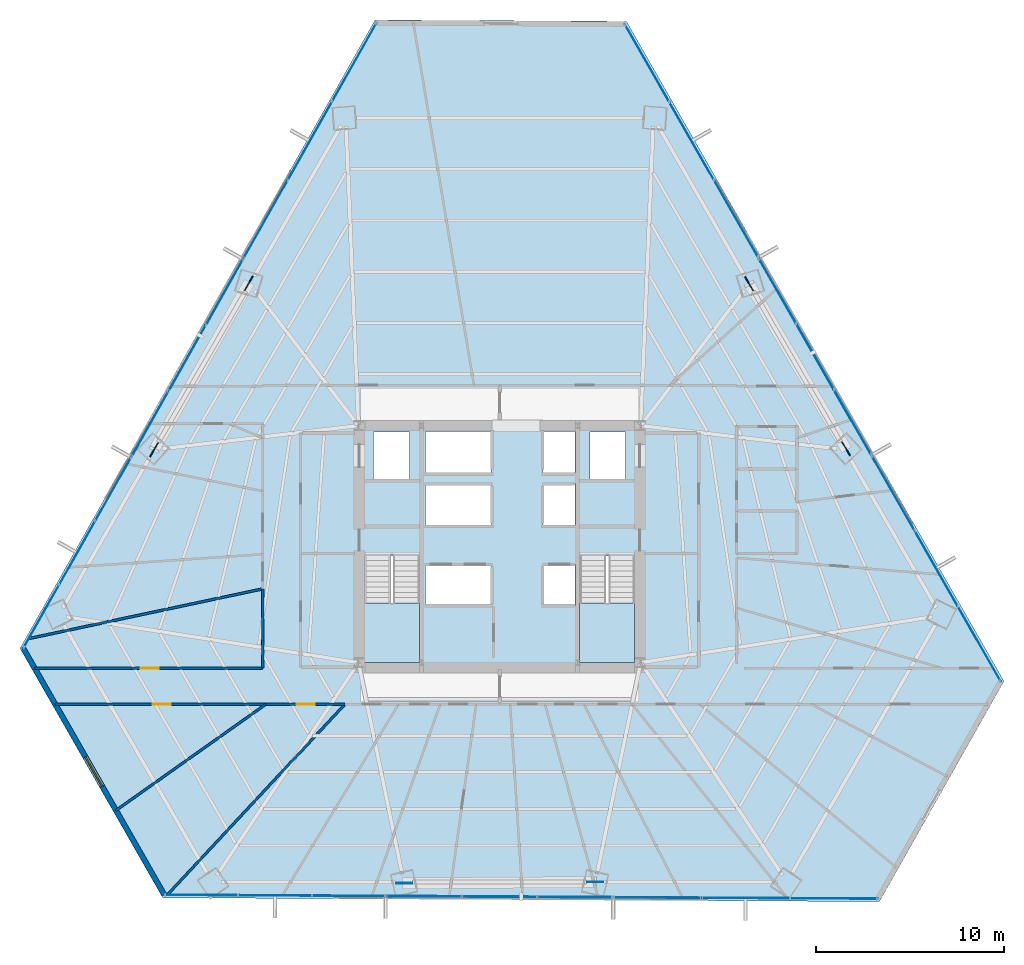
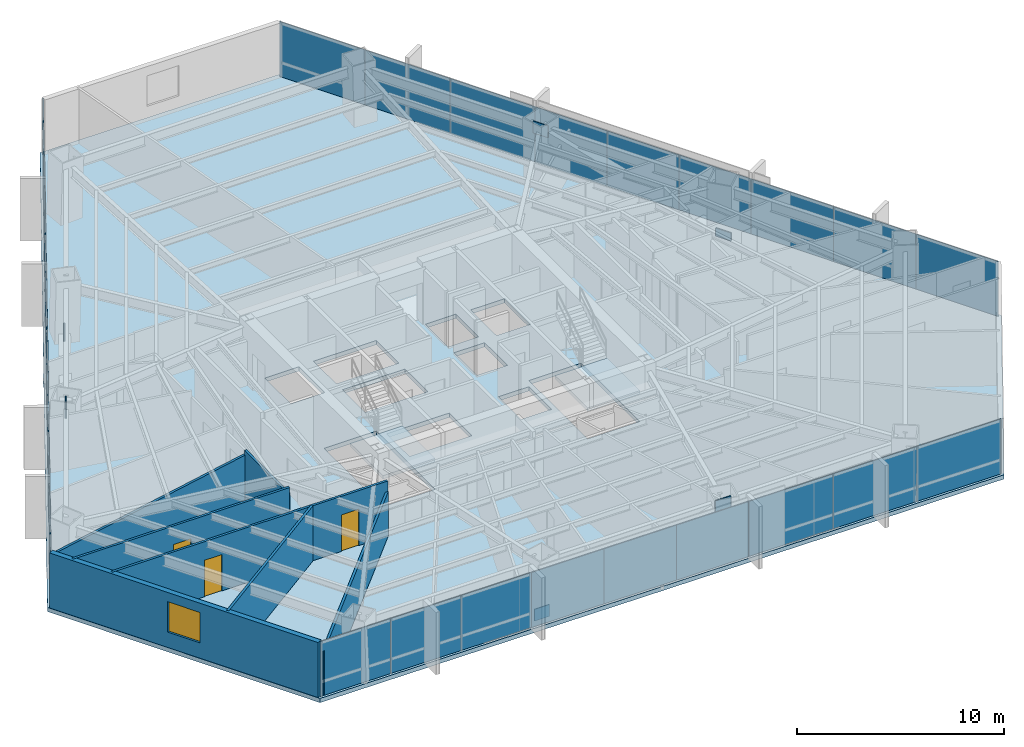
# One storey, part 32 of 39: 33 plates, 8 walls, 3 doors, 3 slabs, 1 window, 4 openings, 11 elements without a shape of their own.
"""IFC4 building model written with IfcOpenShell, lengths in metres."""

from ifc_helpers import new_model, si_unit, direction, frame, frame_2d, origin, origin_2d, place, context, subcontext, project, spatial, polyline, rectangle, outline, extrude, source, transform, mapped, material, layer, layer_set, type_object, type_shapes, element, fill, aggregate, save


model = new_model("IFC4")

# Units and contexts
model_context = context("Model", 3, precision=1e-05, world=origin(), true_north=direction((0.0, 1.0)))
body_context = subcontext(model_context, "Body", "Model", "MODEL_VIEW")
ifc_project = project(units=[si_unit("LENGTHUNIT", "METRE"), si_unit("AREAUNIT", "SQUARE_METRE"), si_unit("VOLUMEUNIT", "CUBIC_METRE"), si_unit("PLANEANGLEUNIT", "RADIAN"), si_unit("MASSUNIT", "GRAM", prefix="KILO")], contexts=[model_context])

# Site, building, storey
site_placement = place(None, origin())
site = spatial("IfcSite", under=ifc_project, at=site_placement, CompositionType="ELEMENT")
building_placement = place(site_placement, origin())
building = spatial("IfcBuilding", under=site, at=building_placement, Name="Caelisora Broadcast Tower", CompositionType="ELEMENT")
storey_placement = place(building_placement, frame((0.0, 0.0, 71.39990234375)))
storey = spatial("IfcBuildingStorey", under=building, at=storey_placement, Name="L18", CompositionType="ELEMENT", Elevation=71.39990234375)

# Slab
ifc_material_1 = material(Name="Concrete 40 MPa (AS 3600 N40)", Category="concrete")
ifc_layer_1 = layer(ifc_material_1, 0.25, Name="Concrete 40 MPa (AS 3600 N40)")
ifc_layer_set_1 = layer_set([ifc_layer_1], Name="Concrete 40 MPa (AS 3600 N40)")
slab_type_1 = type_object("IfcSlabType", Name="SL04", PredefinedType="FLOOR", material=ifc_layer_set_1)
slab_1_placement = place(storey_placement, frame((0.0, 0.0, -0.25)))
element("IfcSlab", 1, at=slab_1_placement, inside=storey, type_object=slab_type_1, Name="L18 suspended floor SL04", PredefinedType="FLOOR", context=body_context, shape_type="SweptSolid", body=[
    extrude(outline(polyline([(44.7451171875, 51.489013671875), (31.3798828125, 51.56103515625), (12.508056640625, 18.158935546875), (20.092041015625, 4.904052734375), (58.193115234375, 4.697021484375), (64.81298828125, 16.4140625), (44.7451171875, 51.489013671875)]), holes=[polyline([(30.820068359375, 17.39990234375), (33.739990234375, 17.39990234375), (33.739990234375, 23.080078125), (30.820068359375, 23.080078125), (30.820068359375, 17.39990234375)]), polyline([(42.260009765625, 17.39990234375), (45.179931640625, 17.39990234375), (45.179931640625, 23.080078125), (42.260009765625, 23.080078125), (42.260009765625, 17.39990234375)]), polyline([(42.800048828125, 27.14990234375), (44.699951171875, 27.14990234375), (44.699951171875, 29.64990234375), (42.800048828125, 29.64990234375), (42.800048828125, 27.14990234375)]), polyline([(40.300048828125, 20.429931640625), (42.0, 20.429931640625), (42.0, 22.6298828125), (40.300048828125, 22.6298828125), (40.300048828125, 20.429931640625)]), polyline([(40.300048828125, 24.719970703125), (42.0, 24.719970703125), (42.0, 26.919921875), (40.300048828125, 26.919921875), (40.300048828125, 24.719970703125)]), polyline([(40.300048828125, 27.5), (42.0, 27.5), (42.0, 29.699951171875), (40.300048828125, 29.699951171875), (40.300048828125, 27.5)]), polyline([(34.050048828125, 20.429931640625), (37.550048828125, 20.429931640625), (37.550048828125, 22.6298828125), (34.050048828125, 22.6298828125), (34.050048828125, 20.429931640625)]), polyline([(34.050048828125, 24.719970703125), (37.550048828125, 24.719970703125), (37.550048828125, 26.919921875), (34.050048828125, 26.919921875), (34.050048828125, 24.719970703125)]), polyline([(34.050048828125, 27.5), (37.550048828125, 27.5), (37.550048828125, 29.699951171875), (34.050048828125, 29.699951171875), (34.050048828125, 27.5)]), polyline([(31.300048828125, 27.14990234375), (33.199951171875, 27.14990234375), (33.199951171875, 29.64990234375), (31.300048828125, 29.64990234375), (31.300048828125, 27.14990234375)])]), origin(), (0.0, 0.0, 1.0), 0.25),
])

# Stair, slab
stair_type_1 = type_object("IfcStairType", Name="ST-1", PredefinedType="HALF_TURN_STAIR", material=ifc_material_1)
stair_1_placement = place(storey_placement, origin())
stair_1 = element("IfcStair", 2, at=stair_1_placement, inside=storey, type_object=stair_type_1, Name="L18 West Fire-Isolated Tower Stair", PredefinedType="HALF_TURN_STAIR")
ifc_layer_2 = layer(ifc_material_1, 0.199951171875, Name="Concrete 40 MPa (AS 3600 N40)")
ifc_layer_set_2 = layer_set([ifc_layer_2], Name="Concrete 40 MPa (AS 3600 N40)")
slab_type_2 = type_object("IfcSlabType", Name="STL-1", PredefinedType="LANDING", material=ifc_layer_set_2)
slab_2_placement = place(storey_placement, frame((0.0, 0.0, 1.625)))
slab_2 = element("IfcSlab", 3, at=slab_2_placement, type_object=slab_type_2, Name="ST-1 landing 1", PredefinedType="LANDING", context=body_context, shape_type="SweptSolid", body=[
    extrude(outline(polyline([(30.820068359375, 20.580078125), (30.820068359375, 17.39990234375), (33.739990234375, 17.39990234375), (33.739990234375, 20.580078125), (30.820068359375, 20.580078125)])), origin(), (0.0, 0.0, 1.0), 0.2001953125),
])
aggregate(stair_1, [slab_2])

stair_type_2 = type_object("IfcStairType", Name="ST-2", PredefinedType="HALF_TURN_STAIR", material=ifc_material_1)
stair_2_placement = place(storey_placement, origin())
stair_2 = element("IfcStair", 4, at=stair_2_placement, inside=storey, type_object=stair_type_2, Name="L18 East Fire-Isolated Tower Stair", PredefinedType="HALF_TURN_STAIR")
slab_3_placement = place(storey_placement, frame((0.0, 0.0, 1.625)))
slab_3 = element("IfcSlab", 5, at=slab_3_placement, type_object=slab_type_2, Name="ST-2 landing 1", PredefinedType="LANDING", context=body_context, shape_type="SweptSolid", body=[
    extrude(outline(polyline([(42.260009765625, 20.580078125), (42.260009765625, 17.39990234375), (45.179931640625, 17.39990234375), (45.179931640625, 20.580078125), (42.260009765625, 20.580078125)])), origin(), (0.0, 0.0, 1.0), 0.2001953125),
])
aggregate(stair_2, [slab_3])

# Plates
ifc_material_2 = material(Name="Steel Grade 350 L15 (AS/NZS 3678)", Category="steel")
ifc_layer_3 = layer(ifc_material_2, 0.050048828125, Name="Steel Grade 350 L15 (AS/NZS 3678)")
ifc_layer_set_3 = layer_set([ifc_layer_3], Name="Steel Grade 350 L15 (AS/NZS 3678)")
plate_type_1 = type_object("IfcPlateType", Name="GP03", PredefinedType="USERDEFINED", material=ifc_layer_set_3)
shared_shape_1 = source(origin(), body_context, "Body", "SweptSolid", [
    extrude(rectangle(XDim=0.85009765625, YDim=0.050048828125, at=origin_2d()), origin(), (0.0, 0.0, 1.0), 0.699951171875),
])
type_shapes(plate_type_1, [shared_shape_1])
for number, where, z_axis, x_axis, name in (
    (6, (24.66064453125, 37.560546875, -0.22998046875), (0.0, 0.0, 1.0), (-0.5, -0.866025403784, 0.0), "L18 gusset plate GP03 (ND-L18-C02B)"),
    (7, (19.64111328125, 28.7216796875, 2.580078125), (0.0, 0.0, 1.0), (-0.5, -0.866025403784, 0.0), "L18 gusset plate GP03 (ND-L18-C03T)"),
    (8, (32.92578125, 5.66748046875, -0.22998046875), (0.0, 0.0, 1.0), (1.0, 0.0, 0.0), "L18 gusset plate GP03 (ND-L18-C06B)"),
    (9, (43.090576171875, 5.739990234375, 2.580078125), (0.0, 0.0, 1.0), (1.0, 0.0, 0.0), "L18 gusset plate GP03 (ND-L18-C07T)"),
    (10, (56.413330078125, 28.77197265625, -0.22998046875), (0.0, 0.0, 1.0), (-0.5, 0.866025403784, 0.0), "L18 gusset plate GP03 (ND-L18-C10B)"),
    (11, (51.2685546875, 37.53857421875, 2.580078125), (0.0, 0.0, 1.0), (-0.5, 0.866025403784, 0.0), "L18 gusset plate GP03 (ND-L18-C11T)"),
):
    element("IfcPlate", number, at=place(storey_placement, frame(where, z_axis=z_axis, x_axis=x_axis)), inside=storey, type_object=plate_type_1, Name=name, ObjectType="GUSSET PLATE", PredefinedType="USERDEFINED", context=body_context, shape_type="MappedRepresentation", body=[
        mapped(shared_shape_1, transform((0.0, 0.0, 0.0), scale=1.0)),
    ])

# Curtain wall, plates
ifc_material_3 = material(Name="Unitised Aluminium and Low-E Glass Curtain Wall", Category="glass")
curtain_wall_type_1 = type_object("IfcCurtainWallType", Name="CW-Z1", PredefinedType="NOTDEFINED", material=ifc_material_3)
curtain_wall_1_placement = place(storey_placement, origin())
curtain_wall_1 = element("IfcCurtainWall", 12, at=curtain_wall_1_placement, inside=storey, type_object=curtain_wall_type_1, Name="L18 curtain wall CW-Z1", PredefinedType="NOTDEFINED")
ifc_material_4 = material(Name="Double Glazed Low-E Argon IGU", Category="glass")
ifc_layer_4 = layer(ifc_material_4, 0.035888671875, Name="Double Glazed Low-E Argon IGU")
ifc_layer_set_4 = layer_set([ifc_layer_4], Name="Double Glazed Low-E Argon IGU")
plate_type_2 = type_object("IfcPlateType", Name="CWP-02", PredefinedType="CURTAIN_PANEL", material=ifc_layer_set_4)
shared_shape_2 = source(origin(), body_context, "Body", "SweptSolid", [
    extrude(rectangle(XDim=4.765869140625, YDim=0.035888671875, at=origin_2d()), origin(), (0.0, 0.0, 1.0), 3.25),
])
plate_1_placement = place(storey_placement, frame((45.84130859375, 49.270751953125, 0.0), z_axis=(0.0, 0.0, 1.0), x_axis=(0.49667102347, -0.867938877136, 0.0)))
plate_1 = element("IfcPlate", 13, at=plate_1_placement, type_object=plate_type_2, Name="L18-CW-B01 glazed panel #1", PredefinedType="CURTAIN_PANEL", context=body_context, shape_type="MappedRepresentation", body=[
    mapped(shared_shape_2, transform((0.0, 0.0, 0.0), scale=1.0)),
])
plate_2_placement = place(storey_placement, frame((48.2080078125, 45.134033203125, 0.0), z_axis=(0.0, 0.0, 1.0), x_axis=(0.49667102347, -0.867938877136, 0.0)))
plate_2 = element("IfcPlate", 14, at=plate_2_placement, type_object=plate_type_2, Name="L18-CW-B01 glazed panel #2", PredefinedType="CURTAIN_PANEL", context=body_context, shape_type="MappedRepresentation", body=[
    mapped(shared_shape_2, transform((0.0, 0.0, 0.0), scale=1.0)),
])
plate_3_placement = place(storey_placement, frame((50.57470703125, 40.99755859375, 0.0), z_axis=(0.0, 0.0, 1.0), x_axis=(0.49667102347, -0.867938877136, 0.0)))
plate_3 = element("IfcPlate", 15, at=plate_3_placement, type_object=plate_type_2, Name="L18-CW-B01 glazed panel #3", PredefinedType="CURTAIN_PANEL", context=body_context, shape_type="MappedRepresentation", body=[
    mapped(shared_shape_2, transform((0.0, 0.0, 0.0), scale=1.0)),
])
aggregate(curtain_wall_1, [plate_1, plate_2, plate_3])

ifc_material_5 = material(Name="Unitised Aluminium Insulated Shadow-Box Spandrel Curtain Wall", Category="aluminium")
curtain_wall_type_2 = type_object("IfcCurtainWallType", Name="CW-SP1", PredefinedType="NOTDEFINED", material=ifc_material_5)
curtain_wall_2_placement = place(storey_placement, origin())
curtain_wall_2 = element("IfcCurtainWall", 16, at=curtain_wall_2_placement, inside=storey, type_object=curtain_wall_type_2, Name="L18 curtain wall CW-SP1", PredefinedType="NOTDEFINED")
ifc_material_6 = material(Name="Insulated Terracotta Shadow-Box Spandrel Panel", Category="aluminium")
ifc_layer_5 = layer(ifc_material_6, 0.0439453125, Name="Insulated Terracotta Shadow-Box Spandrel Panel")
ifc_layer_set_5 = layer_set([ifc_layer_5], Name="Insulated Terracotta Shadow-Box Spandrel Panel")
plate_type_3 = type_object("IfcPlateType", Name="CWP-10", PredefinedType="CURTAIN_PANEL", material=ifc_layer_set_5)
shared_shape_3 = source(origin(), body_context, "Body", "SweptSolid", [
    extrude(rectangle(XDim=4.029296875, YDim=0.0439453125, at=origin_2d()), origin(), (0.0, 0.0, 1.0), 3.25),
])
type_shapes(plate_type_3, [shared_shape_3])
plate_4_placement = place(storey_placement, frame((52.763671875, 37.171875, 0.0), z_axis=(0.0, 0.0, 1.0), x_axis=(0.49667102347, -0.867938877136, 0.0)))
plate_4 = element("IfcPlate", 17, at=plate_4_placement, type_object=plate_type_3, Name="L18-CW-B02 spandrel panel #1", PredefinedType="CURTAIN_PANEL", context=body_context, shape_type="MappedRepresentation", body=[
    mapped(shared_shape_3, transform((0.0, 0.0, 0.0), scale=1.0)),
])
plate_5_placement = place(storey_placement, frame((54.7646484375, 33.67431640625, 0.0), z_axis=(0.0, 0.0, 1.0), x_axis=(0.49667102347, -0.867938877136, 0.0)))
plate_5 = element("IfcPlate", 18, at=plate_5_placement, type_object=plate_type_3, Name="L18-CW-B02 spandrel panel #2", PredefinedType="CURTAIN_PANEL", context=body_context, shape_type="MappedRepresentation", body=[
    mapped(shared_shape_3, transform((0.0, 0.0, 0.0), scale=1.0)),
])
plate_6_placement = place(storey_placement, frame((56.765625, 30.177001953125, 0.0), z_axis=(0.0, 0.0, 1.0), x_axis=(0.49667102347, -0.867938877136, 0.0)))
plate_6 = element("IfcPlate", 19, at=plate_6_placement, type_object=plate_type_3, Name="L18-CW-B02 spandrel panel #3", PredefinedType="CURTAIN_PANEL", context=body_context, shape_type="MappedRepresentation", body=[
    mapped(shared_shape_3, transform((0.0, 0.0, 0.0), scale=1.0)),
])
aggregate(curtain_wall_2, [plate_4, plate_5, plate_6])

curtain_wall_3_placement = place(storey_placement, origin())
curtain_wall_3 = element("IfcCurtainWall", 20, at=curtain_wall_3_placement, inside=storey, type_object=curtain_wall_type_2, Name="L18 curtain wall CW-SP1", PredefinedType="NOTDEFINED")
plate_7_placement = place(storey_placement, frame((42.025390625, 4.934814453125, 0.0), z_axis=(0.0, 0.0, 1.0), x_axis=(-0.999985363169, 0.005410494284, 0.0)))
plate_7 = element("IfcPlate", 21, at=plate_7_placement, type_object=plate_type_3, Name="L18-CW-B06 spandrel panel #1", PredefinedType="CURTAIN_PANEL", context=body_context, shape_type="MappedRepresentation", body=[
    mapped(shared_shape_3, transform((0.0, 0.0, 0.0), scale=1.0)),
])
plate_8_placement = place(storey_placement, frame((37.99609375, 4.956787109375, 0.0), z_axis=(0.0, 0.0, 1.0), x_axis=(-0.999985363169, 0.005410494284, 0.0)))
plate_8 = element("IfcPlate", 22, at=plate_8_placement, type_object=plate_type_3, Name="L18-CW-B06 spandrel panel #2", PredefinedType="CURTAIN_PANEL", context=body_context, shape_type="MappedRepresentation", body=[
    mapped(shared_shape_3, transform((0.0, 0.0, 0.0), scale=1.0)),
])
plate_9_placement = place(storey_placement, frame((33.966796875, 4.978759765625, 0.0), z_axis=(0.0, 0.0, 1.0), x_axis=(-0.999985363169, 0.005410494284, 0.0)))
plate_9 = element("IfcPlate", 23, at=plate_9_placement, type_object=plate_type_3, Name="L18-CW-B06 spandrel panel #3", PredefinedType="CURTAIN_PANEL", context=body_context, shape_type="MappedRepresentation", body=[
    mapped(shared_shape_3, transform((0.0, 0.0, 0.0), scale=1.0)),
])
aggregate(curtain_wall_3, [plate_7, plate_8, plate_9])

curtain_wall_4_placement = place(storey_placement, origin())
curtain_wall_4 = element("IfcCurtainWall", 24, at=curtain_wall_4_placement, inside=storey, type_object=curtain_wall_type_2, Name="L18 curtain wall CW-SP1", PredefinedType="NOTDEFINED")
plate_10_placement = place(storey_placement, frame((19.410888671875, 30.071044921875, 0.0), z_axis=(0.0, 0.0, 1.0), x_axis=(0.49181581725, 0.870699260309, 0.0)))
plate_10 = element("IfcPlate", 25, at=plate_10_placement, type_object=plate_type_3, Name="L18-CW-B10 spandrel panel #1", PredefinedType="CURTAIN_PANEL", context=body_context, shape_type="MappedRepresentation", body=[
    mapped(shared_shape_3, transform((0.0, 0.0, 0.0), scale=1.0)),
])
plate_11_placement = place(storey_placement, frame((21.392578125, 33.5791015625, 0.0), z_axis=(0.0, 0.0, 1.0), x_axis=(0.49181581725, 0.870699260309, 0.0)))
plate_11 = element("IfcPlate", 26, at=plate_11_placement, type_object=plate_type_3, Name="L18-CW-B10 spandrel panel #2", PredefinedType="CURTAIN_PANEL", context=body_context, shape_type="MappedRepresentation", body=[
    mapped(shared_shape_3, transform((0.0, 0.0, 0.0), scale=1.0)),
])
plate_12_placement = place(storey_placement, frame((23.374755859375, 37.087158203125, 0.0), z_axis=(0.0, 0.0, 1.0), x_axis=(0.49181581725, 0.870699260309, 0.0)))
plate_12 = element("IfcPlate", 27, at=plate_12_placement, type_object=plate_type_3, Name="L18-CW-B10 spandrel panel #3", PredefinedType="CURTAIN_PANEL", context=body_context, shape_type="MappedRepresentation", body=[
    mapped(shared_shape_3, transform((0.0, 0.0, 0.0), scale=1.0)),
])
aggregate(curtain_wall_4, [plate_10, plate_11, plate_12])

curtain_wall_5_placement = place(storey_placement, origin())
curtain_wall_5 = element("IfcCurtainWall", 28, at=curtain_wall_5_placement, inside=storey, type_object=curtain_wall_type_1, Name="L18 curtain wall CW-Z1", PredefinedType="NOTDEFINED")
shared_shape_4 = source(origin(), body_context, "Body", "SweptSolid", [
    extrude(rectangle(XDim=4.610595703125, YDim=0.035888671875, at=origin_2d()), origin(), (0.0, 0.0, 1.0), 3.25),
])
plate_13_placement = place(storey_placement, frame((58.916015625, 26.418701171875, 0.0), z_axis=(0.0, 0.0, 1.0), x_axis=(0.49667102347, -0.867938877136, 0.0)))
plate_13 = element("IfcPlate", 29, at=plate_13_placement, type_object=plate_type_2, Name="L18-CW-B03 glazed panel #1", PredefinedType="CURTAIN_PANEL", context=body_context, shape_type="MappedRepresentation", body=[
    mapped(shared_shape_4, transform((0.0, 0.0, 0.0), scale=1.0)),
])
plate_14_placement = place(storey_placement, frame((61.20556640625, 22.416748046875, 0.0), z_axis=(0.0, 0.0, 1.0), x_axis=(0.49667102347, -0.867938877136, 0.0)))
plate_14 = element("IfcPlate", 30, at=plate_14_placement, type_object=plate_type_2, Name="L18-CW-B03 glazed panel #2", PredefinedType="CURTAIN_PANEL", context=body_context, shape_type="MappedRepresentation", body=[
    mapped(shared_shape_4, transform((0.0, 0.0, 0.0), scale=1.0)),
])
plate_15_placement = place(storey_placement, frame((63.4951171875, 18.414794921875, 0.0), z_axis=(0.0, 0.0, 1.0), x_axis=(0.49667102347, -0.867938877136, 0.0)))
plate_15 = element("IfcPlate", 31, at=plate_15_placement, type_object=plate_type_2, Name="L18-CW-B03 glazed panel #3", PredefinedType="CURTAIN_PANEL", context=body_context, shape_type="MappedRepresentation", body=[
    mapped(shared_shape_4, transform((0.0, 0.0, 0.0), scale=1.0)),
])
aggregate(curtain_wall_5, [plate_13, plate_14, plate_15])

curtain_wall_6_placement = place(storey_placement, origin())
curtain_wall_6 = element("IfcCurtainWall", 32, at=curtain_wall_6_placement, inside=storey, type_object=curtain_wall_type_1, Name="L18 curtain wall CW-Z1", PredefinedType="NOTDEFINED")
shared_shape_5 = source(origin(), body_context, "Body", "SweptSolid", [
    extrude(rectangle(XDim=4.685302734375, YDim=0.035888671875, at=origin_2d()), origin(), (0.0, 0.0, 1.0), 3.25),
])
plate_16_placement = place(storey_placement, frame((55.76318359375, 4.85986328125, 0.0), z_axis=(0.0, 0.0, 1.0), x_axis=(-0.999985363169, 0.005410494284, 0.0)))
plate_16 = element("IfcPlate", 33, at=plate_16_placement, type_object=plate_type_2, Name="L18-CW-B05 glazed panel #1", PredefinedType="CURTAIN_PANEL", context=body_context, shape_type="MappedRepresentation", body=[
    mapped(shared_shape_5, transform((0.0, 0.0, 0.0), scale=1.0)),
])
plate_17_placement = place(storey_placement, frame((51.077880859375, 4.885498046875, 0.0), z_axis=(0.0, 0.0, 1.0), x_axis=(-0.999985363169, 0.005410494284, 0.0)))
plate_17 = element("IfcPlate", 34, at=plate_17_placement, type_object=plate_type_2, Name="L18-CW-B05 glazed panel #2", PredefinedType="CURTAIN_PANEL", context=body_context, shape_type="MappedRepresentation", body=[
    mapped(shared_shape_5, transform((0.0, 0.0, 0.0), scale=1.0)),
])
plate_18_placement = place(storey_placement, frame((46.392578125, 4.910888671875, 0.0), z_axis=(0.0, 0.0, 1.0), x_axis=(-0.999985363169, 0.005410494284, 0.0)))
plate_18 = element("IfcPlate", 35, at=plate_18_placement, type_object=plate_type_2, Name="L18-CW-B05 glazed panel #3", PredefinedType="CURTAIN_PANEL", context=body_context, shape_type="MappedRepresentation", body=[
    mapped(shared_shape_5, transform((0.0, 0.0, 0.0), scale=1.0)),
])
aggregate(curtain_wall_6, [plate_16, plate_17, plate_18])

curtain_wall_7_placement = place(storey_placement, origin())
curtain_wall_7 = element("IfcCurtainWall", 36, at=curtain_wall_7_placement, inside=storey, type_object=curtain_wall_type_1, Name="L18 curtain wall CW-Z1", PredefinedType="NOTDEFINED")
shared_shape_6 = source(origin(), body_context, "Body", "SweptSolid", [
    extrude(rectangle(XDim=3.921142578125, YDim=0.035888671875, at=origin_2d()), origin(), (0.0, 0.0, 1.0), 3.25),
])
plate_19_placement = place(storey_placement, frame((29.981689453125, 5.00048828125, 0.0), z_axis=(0.0, 0.0, 1.0), x_axis=(-0.999985363169, 0.005410494284, 0.0)))
plate_19 = element("IfcPlate", 37, at=plate_19_placement, type_object=plate_type_2, Name="L18-CW-B07 glazed panel #1", PredefinedType="CURTAIN_PANEL", context=body_context, shape_type="MappedRepresentation", body=[
    mapped(shared_shape_6, transform((0.0, 0.0, 0.0), scale=1.0)),
])
plate_20_placement = place(storey_placement, frame((26.060546875, 5.02197265625, 0.0), z_axis=(0.0, 0.0, 1.0), x_axis=(-0.999985363169, 0.005410494284, 0.0)))
plate_20 = element("IfcPlate", 38, at=plate_20_placement, type_object=plate_type_2, Name="L18-CW-B07 glazed panel #2", PredefinedType="CURTAIN_PANEL", context=body_context, shape_type="MappedRepresentation", body=[
    mapped(shared_shape_6, transform((0.0, 0.0, 0.0), scale=1.0)),
])
plate_21_placement = place(storey_placement, frame((22.139404296875, 5.043212890625, 0.0), z_axis=(0.0, 0.0, 1.0), x_axis=(-0.999985363169, 0.005410494284, 0.0)))
plate_21 = element("IfcPlate", 39, at=plate_21_placement, type_object=plate_type_2, Name="L18-CW-B07 glazed panel #3", PredefinedType="CURTAIN_PANEL", context=body_context, shape_type="MappedRepresentation", body=[
    mapped(shared_shape_6, transform((0.0, 0.0, 0.0), scale=1.0)),
])
aggregate(curtain_wall_7, [plate_19, plate_20, plate_21])

curtain_wall_8_placement = place(storey_placement, origin())
curtain_wall_8 = element("IfcCurtainWall", 40, at=curtain_wall_8_placement, inside=storey, type_object=curtain_wall_type_1, Name="L18 curtain wall CW-Z1", PredefinedType="NOTDEFINED")
shared_shape_7 = source(origin(), body_context, "Body", "SweptSolid", [
    extrude(rectangle(XDim=3.8857421875, YDim=0.035888671875, at=origin_2d()), origin(), (0.0, 0.0, 1.0), 3.25),
])
plate_22_placement = place(storey_placement, frame((13.63671875, 19.8505859375, 0.0), z_axis=(0.0, 0.0, 1.0), x_axis=(0.49181581725, 0.870699260309, 0.0)))
plate_22 = element("IfcPlate", 41, at=plate_22_placement, type_object=plate_type_2, Name="L18-CW-B09 glazed panel #1", PredefinedType="CURTAIN_PANEL", context=body_context, shape_type="MappedRepresentation", body=[
    mapped(shared_shape_7, transform((0.0, 0.0, 0.0), scale=1.0)),
])
plate_23_placement = place(storey_placement, frame((15.548095703125, 23.233642578125, 0.0), z_axis=(0.0, 0.0, 1.0), x_axis=(0.49181581725, 0.870699260309, 0.0)))
plate_23 = element("IfcPlate", 42, at=plate_23_placement, type_object=plate_type_2, Name="L18-CW-B09 glazed panel #2", PredefinedType="CURTAIN_PANEL", context=body_context, shape_type="MappedRepresentation", body=[
    mapped(shared_shape_7, transform((0.0, 0.0, 0.0), scale=1.0)),
])
plate_24_placement = place(storey_placement, frame((17.459228515625, 26.61669921875, 0.0), z_axis=(0.0, 0.0, 1.0), x_axis=(0.49181581725, 0.870699260309, 0.0)))
plate_24 = element("IfcPlate", 43, at=plate_24_placement, type_object=plate_type_2, Name="L18-CW-B09 glazed panel #3", PredefinedType="CURTAIN_PANEL", context=body_context, shape_type="MappedRepresentation", body=[
    mapped(shared_shape_7, transform((0.0, 0.0, 0.0), scale=1.0)),
])
aggregate(curtain_wall_8, [plate_22, plate_23, plate_24])

curtain_wall_9_placement = place(storey_placement, origin())
curtain_wall_9 = element("IfcCurtainWall", 44, at=curtain_wall_9_placement, inside=storey, type_object=curtain_wall_type_1, Name="L18 curtain wall CW-Z1", PredefinedType="NOTDEFINED")
shared_shape_8 = source(origin(), body_context, "Body", "SweptSolid", [
    extrude(rectangle(XDim=4.80908203125, YDim=0.035888671875, at=origin_2d()), origin(), (0.0, 0.0, 1.0), 3.25),
])
type_shapes(plate_type_2, [shared_shape_2, shared_shape_4, shared_shape_5, shared_shape_6, shared_shape_7, shared_shape_8])
plate_25_placement = place(storey_placement, frame((25.55322265625, 40.943603515625, 0.0), z_axis=(0.0, 0.0, 1.0), x_axis=(0.49181581725, 0.870699260309, 0.0)))
plate_25 = element("IfcPlate", 45, at=plate_25_placement, type_object=plate_type_2, Name="L18-CW-B11 glazed panel #1", PredefinedType="CURTAIN_PANEL", context=body_context, shape_type="MappedRepresentation", body=[
    mapped(shared_shape_8, transform((0.0, 0.0, 0.0), scale=1.0)),
])
plate_26_placement = place(storey_placement, frame((27.918701171875, 45.130615234375, 0.0), z_axis=(0.0, 0.0, 1.0), x_axis=(0.49181581725, 0.870699260309, 0.0)))
plate_26 = element("IfcPlate", 46, at=plate_26_placement, type_object=plate_type_2, Name="L18-CW-B11 glazed panel #2", PredefinedType="CURTAIN_PANEL", context=body_context, shape_type="MappedRepresentation", body=[
    mapped(shared_shape_8, transform((0.0, 0.0, 0.0), scale=1.0)),
])
plate_27_placement = place(storey_placement, frame((30.2841796875, 49.3173828125, 0.0), z_axis=(0.0, 0.0, 1.0), x_axis=(0.49181581725, 0.870699260309, 0.0)))
plate_27 = element("IfcPlate", 47, at=plate_27_placement, type_object=plate_type_2, Name="L18-CW-B11 glazed panel #3", PredefinedType="CURTAIN_PANEL", context=body_context, shape_type="MappedRepresentation", body=[
    mapped(shared_shape_8, transform((0.0, 0.0, 0.0), scale=1.0)),
])
aggregate(curtain_wall_9, [plate_25, plate_26, plate_27])

# Wall, opening, window
ifc_material_7 = material(Name="Insulated Terracotta Spandrel Wall System", Category="masonry")
ifc_layer_6 = layer(ifc_material_7, 0.280029296875, Name="Insulated Terracotta Spandrel Wall System")
ifc_layer_set_6 = layer_set([ifc_layer_6], Name="Insulated Terracotta Spandrel Wall System")
wall_type_1 = type_object("IfcWallType", Name="EW1", PredefinedType="STANDARD", material=ifc_layer_set_6)
wall_1_placement = place(storey_placement, frame((20.1640625, 5.080078125, 0.0), z_axis=(0.0, 0.0, 1.0), x_axis=(-0.496610912016, 0.867973272668, 0.0)))
wall_1 = element("IfcWall", 48, at=wall_1_placement, inside=storey, type_object=wall_type_1, Name="L18 exterior envelope wall EW1", PredefinedType="STANDARD", context=body_context, shape_type="SweptSolid", body=[
    extrude(rectangle(XDim=15.03857421875, YDim=0.280029296875, at=frame_2d((7.519287109375, 0.0))), origin(), (0.0, 0.0, 1.0), 3.25),
])
opening_1_placement = place(wall_1_placement, frame((6.6201171875, 0.0, 0.89990234375)))
opening_1 = element("IfcOpeningElement", 49, at=opening_1_placement, cuts=wall_1, Name="Opening W01", PredefinedType="OPENING", context=body_context, shape_type="SweptSolid", body=[
    extrude(rectangle(XDim=1.800048828125, YDim=1.800048828125, at=frame_2d((0.89990234375, 0.89990234375))), frame((0.0, 0.152099609375, 0.0), z_axis=(0.0, -1.0, 0.0), x_axis=(1.0, 0.0, 0.0)), (0.0, 0.0, 1.0), 0.303955078125),
])
ifc_material_8 = material(Name="Double Glazed Terracotta-Framed Vision Window", Category="glass")
window_type = type_object("IfcWindowType", Name="W01", PartitioningType="SINGLE_PANEL", PredefinedType="WINDOW", material=ifc_material_8)
window_placement = place(opening_1_placement, origin())
window = element("IfcWindow", 50, at=window_placement, inside=storey, type_object=window_type, Name="L18 window W01 (L18-WN-CH4)", OverallHeight=1.800048828125, OverallWidth=1.800048828125, PartitioningType="SINGLE_PANEL", PredefinedType="WINDOW", context=body_context, shape_type="SweptSolid", body=[
    extrude(rectangle(XDim=1.800048828125, YDim=1.800048828125, at=frame_2d((0.89990234375, 0.89990234375))), frame((0.0, 0.030029296875, 0.0), z_axis=(0.0, -1.0, 0.0), x_axis=(1.0, 0.0, 0.0)), (0.0, 0.0, 1.0), 0.06005859375),
])
fill(opening_1, window)

# Walls
ifc_material_9 = material(Name="Acoustic Steel-Stud Plasterboard Partition", Category="gypsum")
ifc_layer_7 = layer(ifc_material_9, 0.1298828125, Name="Acoustic Steel-Stud Plasterboard Partition")
ifc_layer_set_7 = layer_set([ifc_layer_7], Name="Acoustic Steel-Stud Plasterboard Partition")
wall_type_2 = type_object("IfcWallType", Name="PW3", PredefinedType="PARTITIONING", material=ifc_layer_set_7)
wall_2_placement = place(storey_placement, frame((20.3310546875, 5.047607421875, 0.0), z_axis=(0.0, 0.0, 1.0), x_axis=(0.681708470402, 0.731623920729, 0.0)))
element("IfcWall", 51, at=wall_2_placement, inside=storey, type_object=wall_type_2, Name="L18 internal partition PW3", PredefinedType="PARTITIONING", context=body_context, shape_type="SweptSolid", body=[
    extrude(rectangle(XDim=13.87109375, YDim=0.1298828125, at=frame_2d((6.935546875, 0.0))), origin(), (0.0, 0.0, 1.0), 2.6328125),
])
wall_3_placement = place(storey_placement, frame((12.96728515625, 18.677001953125, 0.0), z_axis=(0.0, 0.0, 1.0), x_axis=(0.978139703206, 0.207948842293, 0.0)))
element("IfcWall", 52, at=wall_3_placement, inside=storey, type_object=wall_type_2, Name="L18 internal partition PW3", PredefinedType="PARTITIONING", context=body_context, shape_type="SweptSolid", body=[
    extrude(rectangle(XDim=12.70556640625, YDim=0.1298828125, at=frame_2d((6.352783203125, 0.0))), origin(), (0.0, 0.0, 1.0), 2.6328125),
])

# Wall, opening, door
wall_4_placement = place(storey_placement, frame((13.281005859375, 17.10009765625, 0.0), z_axis=(0.0, 0.0, 1.0), x_axis=(1.0, 0.0, 0.0)))
wall_4 = element("IfcWall", 53, at=wall_4_placement, inside=storey, type_object=wall_type_2, Name="L18 internal partition PW3", PredefinedType="PARTITIONING", context=body_context, shape_type="SweptSolid", body=[
    extrude(rectangle(XDim=12.114013671875, YDim=0.1298828125, at=frame_2d((6.05712890625, 0.0))), origin(), (0.0, 0.0, 1.0), 3.25),
])
opening_2_placement = place(wall_4_placement, frame((5.633056640625, 0.0, 0.0)))
opening_2 = element("IfcOpeningElement", 54, at=opening_2_placement, cuts=wall_4, Name="Opening D01", PredefinedType="OPENING", context=body_context, shape_type="SweptSolid", body=[
    extrude(rectangle(XDim=0.9599609375, YDim=2.14990234375, at=frame_2d((0.47998046875, 1.074951171875))), frame((0.0, 0.076904296875, 0.0), z_axis=(0.0, -1.0, 0.0), x_axis=(1.0, 0.0, 0.0)), (0.0, 0.0, 1.0), 0.15380859375),
])
ifc_material_10 = material(Name="Solid-Core Timber Acoustic Office Door", Category="wood")
door_type = type_object("IfcDoorType", Name="D01", OperationType="NOTDEFINED", PredefinedType="DOOR", material=ifc_material_10)
door_1_placement = place(opening_2_placement, origin())
door_1 = element("IfcDoor", 55, at=door_1_placement, inside=storey, type_object=door_type, Name="L18 door D01 (L18-DR-P33D1)", OperationType="SINGLE_SWING_LEFT", OverallHeight=2.14990234375, OverallWidth=0.9599609375, PredefinedType="DOOR", context=body_context, shape_type="SweptSolid", body=[
    extrude(rectangle(XDim=0.9599609375, YDim=2.14990234375, at=frame_2d((0.47998046875, 1.074951171875))), frame((0.0, 0.02490234375, 0.0), z_axis=(0.0, -1.0, 0.0), x_axis=(1.0, 0.0, 0.0)), (0.0, 0.0, 1.0), 0.050048828125),
])
fill(opening_2, door_1)

wall_5_placement = place(storey_placement, frame((14.3681640625, 15.199951171875, 0.0), z_axis=(0.0, 0.0, 1.0), x_axis=(1.0, 0.0, 0.0)))
wall_5 = element("IfcWall", 56, at=wall_5_placement, inside=storey, type_object=wall_type_2, Name="L18 internal partition PW3", PredefinedType="PARTITIONING", context=body_context, shape_type="SweptSolid", body=[
    extrude(rectangle(XDim=11.216796875, YDim=0.1298828125, at=frame_2d((5.6083984375, 0.0))), origin(), (0.0, 0.0, 1.0), 3.25),
])
opening_3_placement = place(wall_5_placement, frame((5.18310546875, 0.0, 0.0)))
opening_3 = element("IfcOpeningElement", 57, at=opening_3_placement, cuts=wall_5, Name="Opening D01", PredefinedType="OPENING", context=body_context, shape_type="SweptSolid", body=[
    extrude(rectangle(XDim=0.9599609375, YDim=2.14990234375, at=frame_2d((0.47998046875, 1.074951171875))), frame((0.0, 0.076904296875, 0.0), z_axis=(0.0, -1.0, 0.0), x_axis=(1.0, 0.0, 0.0)), (0.0, 0.0, 1.0), 0.15380859375),
])
door_2_placement = place(opening_3_placement, origin())
door_2 = element("IfcDoor", 58, at=door_2_placement, inside=storey, type_object=door_type, Name="L18 door D01 (L18-DR-P37D1)", OperationType="SINGLE_SWING_RIGHT", OverallHeight=2.14990234375, OverallWidth=0.9599609375, PredefinedType="DOOR", context=body_context, shape_type="SweptSolid", body=[
    extrude(rectangle(XDim=0.9599609375, YDim=2.14990234375, at=frame_2d((0.47998046875, 1.074951171875))), frame((0.0, 0.02490234375, 0.0), z_axis=(0.0, -1.0, 0.0), x_axis=(1.0, 0.0, 0.0)), (0.0, 0.0, 1.0), 0.050048828125),
])
fill(opening_3, door_2)

# Walls
wall_6_placement = place(storey_placement, frame((17.604736328125, 9.54296875, 0.0), z_axis=(0.0, 0.0, 1.0), x_axis=(0.815990631246, 0.578065125846, 0.0)))
element("IfcWall", 59, at=wall_6_placement, inside=storey, type_object=wall_type_2, Name="L18 internal partition PW3", PredefinedType="PARTITIONING", context=body_context, shape_type="SweptSolid", body=[
    extrude(rectangle(XDim=9.781005859375, YDim=0.1298828125, at=frame_2d((4.890625, 0.0))), origin(), (0.0, 0.0, 1.0), 3.25),
])
wall_7_placement = place(storey_placement, frame((25.39990234375, 17.10498046875, 0.0), z_axis=(0.0, 0.0, 1.0), x_axis=(0.0, 1.0, 0.0)))
element("IfcWall", 60, at=wall_7_placement, inside=storey, type_object=wall_type_2, Name="L18 internal partition PW3", PredefinedType="PARTITIONING", context=body_context, shape_type="SweptSolid", body=[
    extrude(rectangle(XDim=4.2099609375, YDim=0.1298828125, at=frame_2d((2.10498046875, 0.0))), origin(), (0.0, 0.0, 1.0), 2.87646484375),
])

# Wall, opening, door
wall_8_placement = place(storey_placement, frame((25.594970703125, 15.199951171875, 0.0), z_axis=(0.0, 0.0, 1.0), x_axis=(1.0, 0.0, 0.0)))
wall_8 = element("IfcWall", 61, at=wall_8_placement, inside=storey, type_object=wall_type_2, Name="L18 internal partition PW3", PredefinedType="PARTITIONING", context=body_context, shape_type="SweptSolid", body=[
    extrude(rectangle(XDim=4.18994140625, YDim=0.1298828125, at=frame_2d((2.094970703125, 0.0))), origin(), (0.0, 0.0, 1.0), 3.25),
])
opening_4_placement = place(wall_8_placement, frame((1.614990234375, 0.0, 0.0)))
opening_4 = element("IfcOpeningElement", 62, at=opening_4_placement, cuts=wall_8, Name="Opening D01", PredefinedType="OPENING", context=body_context, shape_type="SweptSolid", body=[
    extrude(rectangle(XDim=0.9599609375, YDim=2.14990234375, at=frame_2d((0.47998046875, 1.074951171875))), frame((0.0, 0.076904296875, 0.0), z_axis=(0.0, -1.0, 0.0), x_axis=(1.0, 0.0, 0.0)), (0.0, 0.0, 1.0), 0.15380859375),
])
door_3_placement = place(opening_4_placement, origin())
door_3 = element("IfcDoor", 63, at=door_3_placement, inside=storey, type_object=door_type, Name="L18 door D01 (L18-DR-P58D1)", OperationType="SINGLE_SWING_LEFT", OverallHeight=2.14990234375, OverallWidth=0.9599609375, PredefinedType="DOOR", context=body_context, shape_type="SweptSolid", body=[
    extrude(rectangle(XDim=0.9599609375, YDim=2.14990234375, at=frame_2d((0.47998046875, 1.074951171875))), frame((0.0, 0.02490234375, 0.0), z_axis=(0.0, -1.0, 0.0), x_axis=(1.0, 0.0, 0.0)), (0.0, 0.0, 1.0), 0.050048828125),
])
fill(opening_4, door_3)

save(model, "model.ifc")
